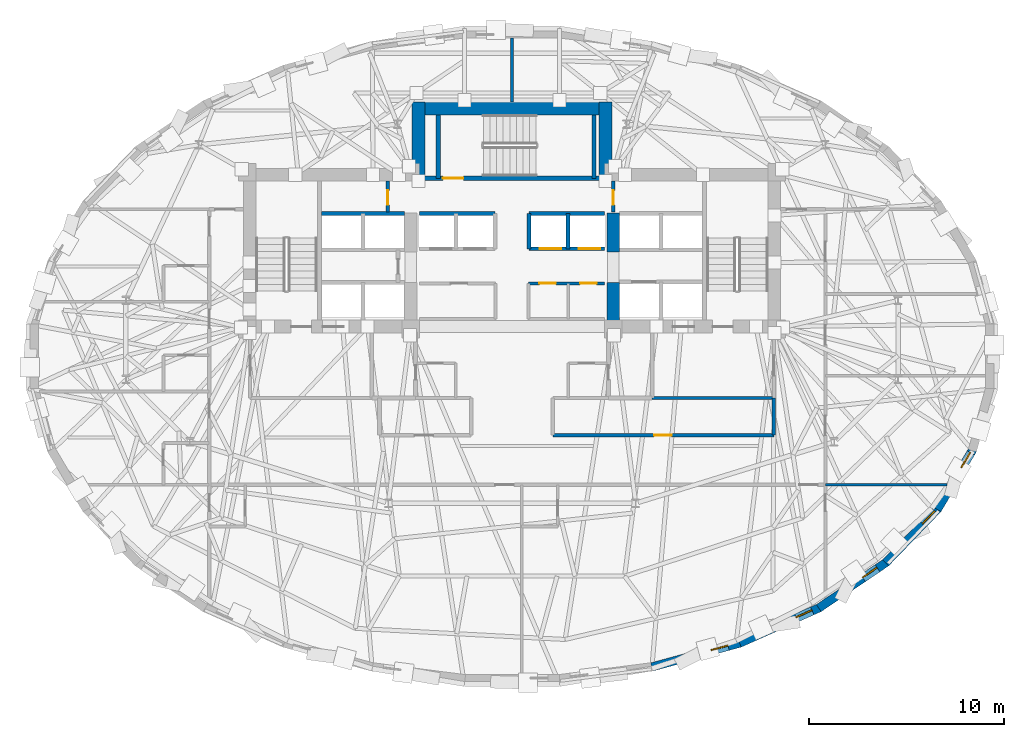
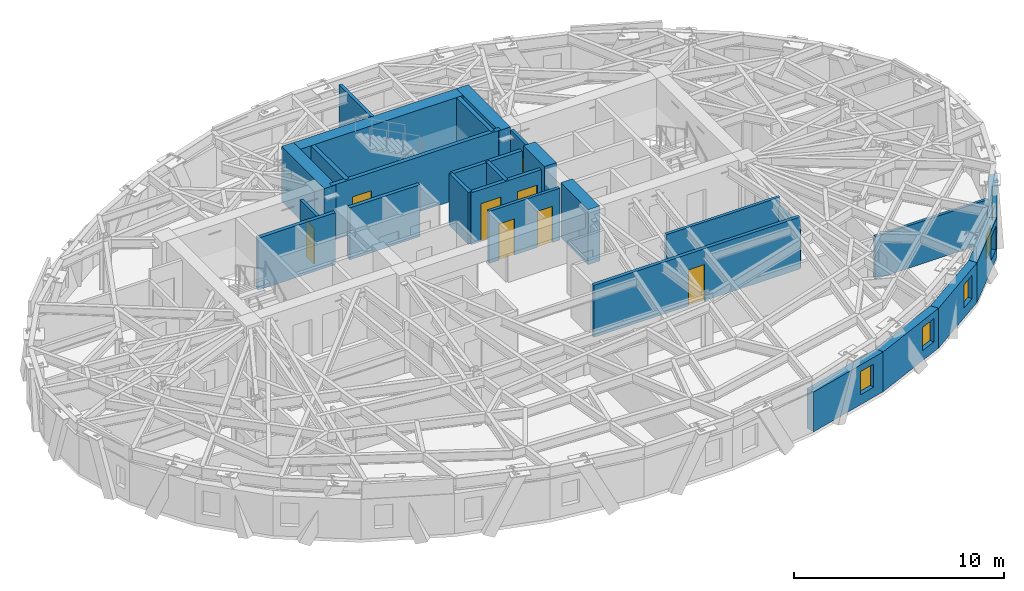
# One storey, part 8 of 14: 27 walls, 8 doors, 5 windows, 13 openings.
"""IFC4 building model written with IfcOpenShell, lengths in metres."""

from ifc_helpers import new_model, si_unit, direction, frame, frame_2d, origin, place, context, subcontext, project, spatial, rectangle, extrude, material, layer, layer_set, type_object, element, fill, save


model = new_model("IFC4")

# Units and contexts
model_context = context("Model", 3, precision=1e-05, world=origin(), true_north=direction((0.0, 1.0)))
body_context = subcontext(model_context, "Body", "Model", "MODEL_VIEW")
ifc_project = project(units=[si_unit("LENGTHUNIT", "METRE"), si_unit("AREAUNIT", "SQUARE_METRE"), si_unit("VOLUMEUNIT", "CUBIC_METRE"), si_unit("PLANEANGLEUNIT", "RADIAN"), si_unit("MASSUNIT", "GRAM", prefix="KILO")], contexts=[model_context])

# Site, building, storey
site_placement = place(None, origin())
site = spatial("IfcSite", under=ifc_project, at=site_placement, CompositionType="ELEMENT")
building_placement = place(site_placement, origin())
building = spatial("IfcBuilding", under=site, at=building_placement, Name="Keldmark Tower", CompositionType="ELEMENT")
storey_placement = place(building_placement, frame((0.0, 0.0, 169.39990234375)))
storey = spatial("IfcBuildingStorey", under=building, at=storey_placement, Name="L46", CompositionType="ELEMENT", Elevation=169.39990234375)

# Wall, opening, door
ifc_material_1 = material(Name="Heavy Acoustic Plumbing Chase Gypsum Assembly", Category="gypsum")
ifc_layer_1 = layer(ifc_material_1, 0.18994140625)
ifc_layer_set_1 = layer_set([ifc_layer_1], Name="Heavy Acoustic Plumbing Chase Gypsum Assembly")
wall_type_1 = type_object("IfcWallType", Name="Heavy Wet Wall 190 mm", PredefinedType="PLUMBINGWALL", material=ifc_layer_set_1)
wall_1_placement = place(storey_placement, frame((2.10009765625, -4.050048828125, 0.0), z_axis=(0.0, 0.0, 1.0), x_axis=(1.0, 0.0, 0.0)))
wall_1 = element("IfcWall", 1, at=wall_1_placement, inside=storey, type_object=wall_type_1, Name="L46 Heavy Wet Wall 190 mm SPK-E-S", PredefinedType="PLUMBINGWALL", context=body_context, shape_type="SweptSolid", body=[
    extrude(rectangle(XDim=11.349853515625, YDim=0.18994140625, at=frame_2d((5.6748046875, 0.0))), origin(), (0.0, 0.0, 1.0), 3.02001953125),
])
opening_1_placement = place(wall_1_placement, frame((5.199951171875, 0.0, 0.0)))
opening_1 = element("IfcOpeningElement", 2, at=opening_1_placement, cuts=wall_1, Name="Opening D-IN090", PredefinedType="OPENING", context=body_context, shape_type="SweptSolid", body=[
    extrude(rectangle(XDim=0.89990234375, YDim=2.10009765625, at=frame_2d((0.449951171875, 1.050048828125))), frame((0.0, 0.10498046875, 0.0), z_axis=(0.0, -1.0, 0.0), x_axis=(1.0, 0.0, 0.0)), (0.0, 0.0, 1.0), 0.2099609375),
])
ifc_material_2 = material(Name="Stained American White Oak Veneer", Category="wood")
door_type_1 = type_object("IfcDoorType", Name="Interior Door 900x2100", OperationType="NOTDEFINED", PredefinedType="DOOR", material=ifc_material_2)
door_1_placement = place(opening_1_placement, origin())
door_1 = element("IfcDoor", 3, at=door_1_placement, inside=storey, type_object=door_type_1, Name="L46 Interior Door 900x2100 D-SPKE1-L46", OperationType="SINGLE_SWING_RIGHT", OverallHeight=2.10009765625, OverallWidth=0.89990234375, PredefinedType="DOOR", context=body_context, shape_type="SweptSolid", body=[
    extrude(rectangle(XDim=0.89990234375, YDim=2.10009765625, at=frame_2d((0.449951171875, 1.050048828125))), frame((0.0, 0.02490234375, 0.0), z_axis=(0.0, -1.0, 0.0), x_axis=(1.0, 0.0, 0.0)), (0.0, 0.0, 1.0), 0.050048828125),
])
fill(opening_1, door_1)

# Walls
wall_2_placement = place(storey_placement, frame((13.449951171875, -4.050048828125, 0.0), z_axis=(0.0, 0.0, 1.0), x_axis=(0.0, 1.0, 0.0)))
element("IfcWall", 4, at=wall_2_placement, inside=storey, type_object=wall_type_1, Name="L46 Heavy Wet Wall 190 mm SPK-E-E", PredefinedType="PLUMBINGWALL", context=body_context, shape_type="SweptSolid", body=[
    extrude(rectangle(XDim=1.900146484375, YDim=0.18994140625, at=frame_2d((0.9501953125, 0.0))), origin(), (0.0, 0.0, 1.0), 2.47314453125),
])
ifc_material_3 = material(Name="Type X Fire-Rated Gypsum Partition Assembly", Category="gypsum")
ifc_layer_2 = layer(ifc_material_3, 0.1650390625)
ifc_layer_set_2 = layer_set([ifc_layer_2], Name="Type X Fire-Rated Gypsum Partition Assembly")
wall_type_2 = type_object("IfcWallType", Name="Rated Partition 165 mm", PredefinedType="PARTITIONING", material=ifc_layer_set_2)
wall_3_placement = place(storey_placement, frame((7.199951171875, -2.14990234375, 0.0), z_axis=(0.0, 0.0, 1.0), x_axis=(1.0, 0.0, 0.0)))
element("IfcWall", 5, at=wall_3_placement, inside=storey, type_object=wall_type_2, Name="L46 Rated Partition 165 mm FSAE-E-S", PredefinedType="PARTITIONING", context=body_context, shape_type="SweptSolid", body=[
    extrude(rectangle(XDim=6.25, YDim=0.1650390625, at=frame_2d((3.125, 0.0))), origin(), (0.0, 0.0, 1.0), 3.02001953125),
])

# Wall, openings, doors
wall_4_placement = place(storey_placement, frame((0.85009765625, 3.739990234375, 0.0), z_axis=(0.0, 0.0, 1.0), x_axis=(1.0, 0.0, 0.0)))
wall_4 = element("IfcWall", 6, at=wall_4_placement, inside=storey, type_object=wall_type_2, Name="L46 Rated Partition 165 mm REC-LE-N", PredefinedType="PARTITIONING", context=body_context, shape_type="SweptSolid", body=[
    extrude(rectangle(XDim=3.889892578125, YDim=0.1650390625, at=frame_2d((1.94482421875, 0.0))), origin(), (0.0, 0.0, 1.0), 3.02001953125),
])
opening_2_placement = place(wall_4_placement, frame((0.550048828125, 0.0, 0.0)))
opening_2 = element("IfcOpeningElement", 7, at=opening_2_placement, cuts=wall_4, Name="Opening D-SV085", PredefinedType="OPENING", context=body_context, shape_type="SweptSolid", body=[
    extrude(rectangle(XDim=0.85009765625, YDim=2.10009765625, at=frame_2d((0.425048828125, 1.050048828125))), frame((0.0, 0.092529296875, 0.0), z_axis=(0.0, -1.0, 0.0), x_axis=(1.0, 0.0, 0.0)), (0.0, 0.0, 1.0), 0.18505859375),
])
opening_3_placement = place(wall_4_placement, frame((2.64990234375, 0.0, 0.0)))
opening_3 = element("IfcOpeningElement", 8, at=opening_3_placement, cuts=wall_4, Name="Opening D-SV085", PredefinedType="OPENING", context=body_context, shape_type="SweptSolid", body=[
    extrude(rectangle(XDim=0.85009765625, YDim=2.10009765625, at=frame_2d((0.425048828125, 1.050048828125))), frame((0.0, 0.092529296875, 0.0), z_axis=(0.0, -1.0, 0.0), x_axis=(1.0, 0.0, 0.0)), (0.0, 0.0, 1.0), 0.18505859375),
])
ifc_material_4 = material(Name="Painted Hollow Metal Door Assembly", Category="metal")
door_type_2 = type_object("IfcDoorType", Name="Service Door 850x2100", OperationType="NOTDEFINED", PredefinedType="DOOR", material=ifc_material_4)
door_2_placement = place(opening_2_placement, origin())
door_2 = element("IfcDoor", 9, at=door_2_placement, inside=storey, type_object=door_type_2, Name="L46 Service Door 850x2100 D-RECLE1-L46", OperationType="SINGLE_SWING_LEFT", OverallHeight=2.10009765625, OverallWidth=0.85009765625, PredefinedType="DOOR", context=body_context, shape_type="SweptSolid", body=[
    extrude(rectangle(XDim=0.85009765625, YDim=2.10009765625, at=frame_2d((0.425048828125, 1.050048828125))), frame((0.0, 0.02490234375, 0.0), z_axis=(0.0, -1.0, 0.0), x_axis=(1.0, 0.0, 0.0)), (0.0, 0.0, 1.0), 0.050048828125),
])
fill(opening_2, door_2)
door_3_placement = place(opening_3_placement, origin())
door_3 = element("IfcDoor", 10, at=door_3_placement, inside=storey, type_object=door_type_2, Name="L46 Service Door 850x2100 D-RECLE2-L46", OperationType="SINGLE_SWING_RIGHT", OverallHeight=2.10009765625, OverallWidth=0.85009765625, PredefinedType="DOOR", context=body_context, shape_type="SweptSolid", body=[
    extrude(rectangle(XDim=0.85009765625, YDim=2.10009765625, at=frame_2d((0.425048828125, 1.050048828125))), frame((0.0, 0.02490234375, 0.0), z_axis=(0.0, -1.0, 0.0), x_axis=(1.0, 0.0, 0.0)), (0.0, 0.0, 1.0), 0.050048828125),
])
fill(opening_3, door_3)

# Wall, opening, door
wall_5_placement = place(storey_placement, frame((-6.3798828125, 7.419921875, 0.0), z_axis=(0.0, 0.0, 1.0), x_axis=(0.0, 1.0, 0.0)))
wall_5 = element("IfcWall", 11, at=wall_5_placement, inside=storey, type_object=wall_type_2, Name="L46 Rated Partition 165 mm CS-NW-E", PredefinedType="PARTITIONING", context=body_context, shape_type="SweptSolid", body=[
    extrude(rectangle(XDim=1.580078125, YDim=0.1650390625, at=frame_2d((0.7900390625, 0.0))), origin(), (0.0, 0.0, 1.0), 3.02001953125),
])
opening_4_placement = place(wall_5_placement, frame((0.35009765625, 0.0, 0.0)))
opening_4 = element("IfcOpeningElement", 12, at=opening_4_placement, cuts=wall_5, Name="Opening D-RS075", PredefinedType="OPENING", context=body_context, shape_type="SweptSolid", body=[
    extrude(rectangle(XDim=0.75, YDim=2.10009765625, at=frame_2d((0.375, 1.050048828125))), frame((0.0, 0.092529296875, 0.0), z_axis=(0.0, -1.0, 0.0), x_axis=(1.0, 0.0, 0.0)), (0.0, 0.0, 1.0), 0.18505859375),
])
ifc_material_5 = material(Name="Galvanized Fire-Rated Access Leaf", Category="metal")
door_type_3 = type_object("IfcDoorType", Name="Riser Access Door 750x2100", OperationType="NOTDEFINED", PredefinedType="DOOR", material=ifc_material_5)
door_4_placement = place(opening_4_placement, origin())
door_4 = element("IfcDoor", 13, at=door_4_placement, inside=storey, type_object=door_type_3, Name="L46 Riser Access Door 750x2100 D-CSNW1-L46", OperationType="SINGLE_SWING_RIGHT", OverallHeight=2.10009765625, OverallWidth=0.75, PredefinedType="DOOR", context=body_context, shape_type="SweptSolid", body=[
    extrude(rectangle(XDim=0.75, YDim=2.10009765625, at=frame_2d((0.375, 1.050048828125))), frame((0.0, 0.02490234375, 0.0), z_axis=(0.0, -1.0, 0.0), x_axis=(1.0, 0.0, 0.0)), (0.0, 0.0, 1.0), 0.050048828125),
])
fill(opening_4, door_4)

wall_6_placement = place(storey_placement, frame((5.199951171875, 7.419921875, 0.0), z_axis=(0.0, 0.0, 1.0), x_axis=(0.0, 1.0, 0.0)))
wall_6 = element("IfcWall", 14, at=wall_6_placement, inside=storey, type_object=wall_type_2, Name="L46 Rated Partition 165 mm CS-NE-W", PredefinedType="PARTITIONING", context=body_context, shape_type="SweptSolid", body=[
    extrude(rectangle(XDim=1.580078125, YDim=0.1650390625, at=frame_2d((0.7900390625, 0.0))), origin(), (0.0, 0.0, 1.0), 3.02001953125),
])
opening_5_placement = place(wall_6_placement, frame((0.35009765625, 0.0, 0.0)))
opening_5 = element("IfcOpeningElement", 15, at=opening_5_placement, cuts=wall_6, Name="Opening D-RS075", PredefinedType="OPENING", context=body_context, shape_type="SweptSolid", body=[
    extrude(rectangle(XDim=0.75, YDim=2.10009765625, at=frame_2d((0.375, 1.050048828125))), frame((0.0, 0.092529296875, 0.0), z_axis=(0.0, -1.0, 0.0), x_axis=(1.0, 0.0, 0.0)), (0.0, 0.0, 1.0), 0.18505859375),
])
door_5_placement = place(opening_5_placement, origin())
door_5 = element("IfcDoor", 16, at=door_5_placement, inside=storey, type_object=door_type_3, Name="L46 Riser Access Door 750x2100 D-CSNE1-L46", OperationType="SINGLE_SWING_LEFT", OverallHeight=2.10009765625, OverallWidth=0.75, PredefinedType="DOOR", context=body_context, shape_type="SweptSolid", body=[
    extrude(rectangle(XDim=0.75, YDim=2.10009765625, at=frame_2d((0.375, 1.050048828125))), frame((0.0, 0.02490234375, 0.0), z_axis=(0.0, -1.0, 0.0), x_axis=(1.0, 0.0, 0.0)), (0.0, 0.0, 1.0), 0.050048828125),
])
fill(opening_5, door_5)

# Walls
wall_7_placement = place(storey_placement, frame((0.0, 13.050048828125, 0.0), z_axis=(0.0, 0.0, 1.0), x_axis=(0.0, 1.0, 0.0)))
element("IfcWall", 17, at=wall_7_placement, inside=storey, type_object=wall_type_2, Name="L46 Rated Partition 165 mm HN-DIV", PredefinedType="PARTITIONING", context=body_context, shape_type="SweptSolid", body=[
    extrude(rectangle(XDim=3.2900390625, YDim=0.1650390625, at=frame_2d((1.64501953125, 0.0))), origin(), (0.0, 0.0, 1.0), 3.02001953125),
])
ifc_material_6 = material(Name="Fire-Resistant Type X Gypsum Shaftliner Coreboard", Category="gypsum")
ifc_layer_3 = layer(ifc_material_6, 0.199951171875)
ifc_layer_set_3 = layer_set([ifc_layer_3], Name="Fire-Resistant Type X Gypsum Shaftliner Coreboard")
wall_type_3 = type_object("IfcWallType", Name="Shaft Wall 200 mm", PredefinedType="SOLIDWALL", material=ifc_layer_set_3)
wall_8_placement = place(storey_placement, frame((-9.780029296875, 7.330078125, 0.0), z_axis=(0.0, 0.0, 1.0), x_axis=(1.0, 0.0, 0.0)))
element("IfcWall", 18, at=wall_8_placement, inside=storey, type_object=wall_type_3, Name="L46 Shaft Wall 200 mm HW-W-TOP", PredefinedType="SOLIDWALL", context=body_context, shape_type="SweptSolid", body=[
    extrude(rectangle(XDim=4.255126953125, YDim=0.199951171875, at=frame_2d((2.12744140625, 0.0))), origin(), (0.0, 0.0, 1.0), 3.02001953125),
])

# Wall, openings, doors
wall_9_placement = place(storey_placement, frame((0.8798828125, 5.52001953125, 0.0), z_axis=(0.0, 0.0, 1.0), x_axis=(1.0, 0.0, 0.0)))
wall_9 = element("IfcWall", 19, at=wall_9_placement, inside=storey, type_object=wall_type_3, Name="L46 Shaft Wall 200 mm MID-S-E", PredefinedType="SOLIDWALL", context=body_context, shape_type="SweptSolid", body=[
    extrude(rectangle(XDim=3.860107421875, YDim=0.199951171875, at=frame_2d((1.93017578125, 0.0))), origin(), (0.0, 0.0, 1.0), 3.02001953125),
])
opening_6_placement = place(wall_9_placement, frame((0.550048828125, 0.0, 0.0)))
opening_6 = element("IfcOpeningElement", 20, at=opening_6_placement, cuts=wall_9, Name="Opening LD-110", PredefinedType="OPENING", context=body_context, shape_type="SweptSolid", body=[
    extrude(rectangle(XDim=1.10009765625, YDim=2.199951171875, at=frame_2d((0.550048828125, 1.10009765625))), frame((0.0, 0.10986328125, 0.0), z_axis=(0.0, -1.0, 0.0), x_axis=(1.0, 0.0, 0.0)), (0.0, 0.0, 1.0), 0.219970703125),
])
opening_7_placement = place(wall_9_placement, frame((2.550048828125, 0.0, 0.0)))
opening_7 = element("IfcOpeningElement", 21, at=opening_7_placement, cuts=wall_9, Name="Opening LD-110", PredefinedType="OPENING", context=body_context, shape_type="SweptSolid", body=[
    extrude(rectangle(XDim=1.10009765625, YDim=2.199951171875, at=frame_2d((0.550048828125, 1.10009765625))), frame((0.0, 0.10986328125, 0.0), z_axis=(0.0, -1.0, 0.0), x_axis=(1.0, 0.0, 0.0)), (0.0, 0.0, 1.0), 0.219970703125),
])
ifc_material_7 = material(Name="Brushed Bronze Hoistway Sliding Leaf", Category="metal")
door_type_4 = type_object("IfcDoorType", Name="Lift Landing Sliding Door 1100x2200", OperationType="SLIDING_TO_LEFT", PredefinedType="DOOR", material=ifc_material_7)
door_6_placement = place(opening_6_placement, origin())
door_6 = element("IfcDoor", 22, at=door_6_placement, inside=storey, type_object=door_type_4, Name="L46 Lift Landing Sliding Door 1100x2200 LD-EL-M3-L46", OperationType="SLIDING_TO_LEFT", OverallHeight=2.199951171875, OverallWidth=1.10009765625, PredefinedType="DOOR", context=body_context, shape_type="SweptSolid", body=[
    extrude(rectangle(XDim=1.10009765625, YDim=2.199951171875, at=frame_2d((0.550048828125, 1.10009765625))), frame((0.0, 0.02490234375, 0.0), z_axis=(0.0, -1.0, 0.0), x_axis=(1.0, 0.0, 0.0)), (0.0, 0.0, 1.0), 0.050048828125),
])
fill(opening_6, door_6)
door_7_placement = place(opening_7_placement, origin())
door_7 = element("IfcDoor", 23, at=door_7_placement, inside=storey, type_object=door_type_4, Name="L46 Lift Landing Sliding Door 1100x2200 LD-EL-M4-L46", OperationType="SLIDING_TO_LEFT", OverallHeight=2.199951171875, OverallWidth=1.10009765625, PredefinedType="DOOR", context=body_context, shape_type="SweptSolid", body=[
    extrude(rectangle(XDim=1.10009765625, YDim=2.199951171875, at=frame_2d((0.550048828125, 1.10009765625))), frame((0.0, 0.02490234375, 0.0), z_axis=(0.0, -1.0, 0.0), x_axis=(1.0, 0.0, 0.0)), (0.0, 0.0, 1.0), 0.050048828125),
])
fill(opening_7, door_7)

# Walls
for number, where, z_axis, x_axis, name in (
    (24, (-4.739990234375, 7.330078125, 0.0), (0.0, 0.0, 1.0), (1.0, 0.0, 0.0), "L46 Shaft Wall 200 mm MID-N-W"),
    (25, (0.8798828125, 7.330078125, 0.0), (0.0, 0.0, 1.0), (1.0, 0.0, 0.0), "L46 Shaft Wall 200 mm MID-N-E"),
):
    element("IfcWall", number, at=place(storey_placement, frame(where, z_axis=z_axis, x_axis=x_axis)), inside=storey, type_object=wall_type_3, Name=name, PredefinedType="SOLIDWALL", context=body_context, shape_type="SweptSolid", body=[
        extrude(rectangle(XDim=3.860107421875, YDim=0.199951171875, at=frame_2d((1.93017578125, 0.0))), origin(), (0.0, 0.0, 1.0), 3.02001953125),
    ])
for number, where, z_axis, x_axis, name in (
    (26, (2.8798828125, 5.52001953125, 0.0), (0.0, 0.0, 1.0), (0.0, 1.0, 0.0), "L46 Shaft Wall 200 mm MID-M-E"),
    (27, (0.8798828125, 5.52001953125, 0.0), (0.0, 0.0, 1.0), (0.0, 1.0, 0.0), "L46 Shaft Wall 200 mm MID-C-E"),
):
    element("IfcWall", number, at=place(storey_placement, frame(where, z_axis=z_axis, x_axis=x_axis)), inside=storey, type_object=wall_type_3, Name=name, PredefinedType="SOLIDWALL", context=body_context, shape_type="SweptSolid", body=[
        extrude(rectangle(XDim=1.81005859375, YDim=0.199951171875, at=frame_2d((0.905029296875, 0.0))), origin(), (0.0, 0.0, 1.0), 3.02001953125),
    ])

# Wall, opening, door
ifc_material_8 = material(Name="Concrete C50/60", Category="concrete")
ifc_layer_4 = layer(ifc_material_8, 0.219970703125)
ifc_layer_set_4 = layer_set([ifc_layer_4], Name="Concrete C50/60")
wall_type_4 = type_object("IfcWallType", Name="Stair Core Shear Wall 220 mm", PredefinedType="SHEAR", material=ifc_layer_set_4)
wall_10_placement = place(storey_placement, frame((-4.699951171875, 9.139892578125, 0.0), z_axis=(0.0, 0.0, 1.0), x_axis=(1.0, 0.0, 0.0)))
wall_10 = element("IfcWall", 28, at=wall_10_placement, inside=storey, type_object=wall_type_4, Name="L46 Central Stair Core South Shear Wall", PredefinedType="SHEAR", context=body_context, shape_type="SweptSolid", body=[
    extrude(rectangle(XDim=9.300048828125, YDim=0.219970703125, at=frame_2d((4.64990234375, 0.0))), origin(), (0.0, 0.0, 1.0), 3.2001953125),
])
opening_8_placement = place(wall_10_placement, frame((1.14990234375, 0.0, 0.0)))
opening_8 = element("IfcOpeningElement", 29, at=opening_8_placement, cuts=wall_10, Name="Opening D-ST105", PredefinedType="OPENING", context=body_context, shape_type="SweptSolid", body=[
    extrude(rectangle(XDim=1.050048828125, YDim=2.14990234375, at=frame_2d((0.52490234375, 1.074951171875))), frame((0.0, 0.119873046875, 0.0), z_axis=(0.0, -1.0, 0.0), x_axis=(1.0, 0.0, 0.0)), (0.0, 0.0, 1.0), 0.239990234375),
])
ifc_material_9 = material(Name="Hollow Metal Fire-Rated Door Assembly", Category="metal")
door_type_5 = type_object("IfcDoorType", Name="Stair Fire Door 1050x2150", OperationType="NOTDEFINED", PredefinedType="DOOR", material=ifc_material_9)
door_8_placement = place(opening_8_placement, origin())
door_8 = element("IfcDoor", 30, at=door_8_placement, inside=storey, type_object=door_type_5, Name="L46 Stair Fire Door 1050x2150 D-ST3-L46", OperationType="SINGLE_SWING_RIGHT", OverallHeight=2.14990234375, OverallWidth=1.050048828125, PredefinedType="DOOR", context=body_context, shape_type="SweptSolid", body=[
    extrude(rectangle(XDim=1.050048828125, YDim=2.14990234375, at=frame_2d((0.52490234375, 1.074951171875))), frame((0.0, 0.02490234375, 0.0), z_axis=(0.0, -1.0, 0.0), x_axis=(1.0, 0.0, 0.0)), (0.0, 0.0, 1.0), 0.050048828125),
])
fill(opening_8, door_8)

# Walls
for number, where, z_axis, x_axis, name in (
    (31, (-3.784912109375, 9.139892578125, 0.0), (0.0, 0.0, 1.0), (0.0, 1.0, 0.0), "L46 Central Stair Core West Shear Wall"),
    (32, (4.215087890625, 9.139892578125, 0.0), (0.0, 0.0, 1.0), (0.0, 1.0, 0.0), "L46 Central Stair Core East Shear Wall"),
):
    element("IfcWall", number, at=place(storey_placement, frame(where, z_axis=z_axis, x_axis=x_axis)), inside=storey, type_object=wall_type_4, Name=name, PredefinedType="SHEAR", context=body_context, shape_type="SweptSolid", body=[
        extrude(rectangle(XDim=3.260009765625, YDim=0.219970703125, at=frame_2d((1.6298828125, 0.0))), origin(), (0.0, 0.0, 1.0), 3.2001953125),
    ])

# Wall, opening, window
ifc_material_10 = material(Name="Ironspot Manganese Brick and Kasota Buff Limestone Spandrel Assembly", Category="masonry")
ifc_layer_5 = layer(ifc_material_10, 0.43994140625)
ifc_layer_set_5 = layer_set([ifc_layer_5], Name="Ironspot Manganese Brick and Kasota Buff Limestone Spandrel Assembly")
wall_type_5 = type_object("IfcWallType", Name="Tower Brick Pier and Spandrel Wall 440 mm", PredefinedType="STANDARD", material=ifc_layer_set_5)
wall_11_placement = place(storey_placement, frame((11.72119140625, -14.725830078125, 0.0), z_axis=(0.0, 0.0, 1.0), x_axis=(-0.965037424263, -0.262112132058, 0.0)))
wall_11 = element("IfcWall", 33, at=wall_11_placement, inside=storey, type_object=wall_type_5, Name="L46 Exterior Brick and Spandrel Wall 26", PredefinedType="STANDARD", context=body_context, shape_type="SweptSolid", body=[
    extrude(rectangle(XDim=4.70654296875, YDim=0.43994140625, at=frame_2d((2.353271484375, 0.0))), origin(), (0.0, 0.0, 1.0), 2.315185546875),
])
opening_9_placement = place(wall_11_placement, frame((0.644287109375, 0.0, 0.580078125)))
opening_9 = element("IfcOpeningElement", 34, at=opening_9_placement, cuts=wall_11, Name="Opening W-09", PredefinedType="OPENING", context=body_context, shape_type="SweptSolid", body=[
    extrude(rectangle(XDim=0.89990234375, YDim=1.35009765625, at=frame_2d((0.449951171875, 0.675048828125))), frame((0.0, 0.22998046875, 0.0), z_axis=(0.0, -1.0, 0.0), x_axis=(1.0, 0.0, 0.0)), (0.0, 0.0, 1.0), 0.4599609375),
])
ifc_material_11 = material(Name="Thermally Broken Anodized Aluminum and Triple Low-E Argon Glazing", Category="aluminium")
window_type = type_object("IfcWindowType", Name="Corner Pier Deep-Set Window 900x1350", PartitioningType="SINGLE_PANEL", PredefinedType="WINDOW", material=ifc_material_11)
window_1_placement = place(opening_9_placement, origin())
window_1 = element("IfcWindow", 35, at=window_1_placement, inside=storey, type_object=window_type, Name="L46 Deep-Set Window 26", OverallHeight=1.35009765625, OverallWidth=0.89990234375, PartitioningType="SINGLE_PANEL", PredefinedType="WINDOW", context=body_context, shape_type="SweptSolid", body=[
    extrude(rectangle(XDim=0.89990234375, YDim=1.35009765625, at=frame_2d((0.449951171875, 0.675048828125))), frame((0.0, -0.010009765625, 0.0), z_axis=(0.0, -1.0, 0.0), x_axis=(1.0, 0.0, 0.0)), (0.0, 0.0, 1.0), 0.06005859375),
])
fill(opening_9, window_1)

wall_12_placement = place(storey_placement, frame((15.790771484375, -12.91552734375, 0.0), z_axis=(0.0, 0.0, 1.0), x_axis=(-0.913907994914, -0.405921392431, 0.0)))
wall_12 = element("IfcWall", 36, at=wall_12_placement, inside=storey, type_object=wall_type_5, Name="L46 Exterior Brick and Spandrel Wall 27", PredefinedType="STANDARD", context=body_context, shape_type="SweptSolid", body=[
    extrude(rectangle(XDim=4.4873046875, YDim=0.43994140625, at=frame_2d((2.24365234375, 0.0))), origin(), (0.0, 0.0, 1.0), 2.315185546875),
])
opening_10_placement = place(wall_12_placement, frame((0.399169921875, 0.0, 0.580078125)))
opening_10 = element("IfcOpeningElement", 37, at=opening_10_placement, cuts=wall_12, Name="Opening W-09", PredefinedType="OPENING", context=body_context, shape_type="SweptSolid", body=[
    extrude(rectangle(XDim=0.89990234375, YDim=1.35009765625, at=frame_2d((0.449951171875, 0.675048828125))), frame((0.0, 0.22998046875, 0.0), z_axis=(0.0, -1.0, 0.0), x_axis=(1.0, 0.0, 0.0)), (0.0, 0.0, 1.0), 0.4599609375),
])
window_2_placement = place(opening_10_placement, origin())
window_2 = element("IfcWindow", 38, at=window_2_placement, inside=storey, type_object=window_type, Name="L46 Deep-Set Window 27", OverallHeight=1.35009765625, OverallWidth=0.89990234375, PartitioningType="SINGLE_PANEL", PredefinedType="WINDOW", context=body_context, shape_type="SweptSolid", body=[
    extrude(rectangle(XDim=0.89990234375, YDim=1.35009765625, at=frame_2d((0.449951171875, 0.675048828125))), frame((0.0, -0.010009765625, 0.0), z_axis=(0.0, -1.0, 0.0), x_axis=(1.0, 0.0, 0.0)), (0.0, 0.0, 1.0), 0.06005859375),
])
fill(opening_10, window_2)

wall_13_placement = place(storey_placement, frame((19.2265625, -10.58251953125, 0.0), z_axis=(0.0, 0.0, 1.0), x_axis=(-0.827760762475, -0.561081206338, 0.0)))
wall_13 = element("IfcWall", 39, at=wall_13_placement, inside=storey, type_object=wall_type_5, Name="L46 Exterior Brick and Spandrel Wall 28", PredefinedType="STANDARD", context=body_context, shape_type="SweptSolid", body=[
    extrude(rectangle(XDim=4.19189453125, YDim=0.43994140625, at=frame_2d((2.095947265625, 0.0))), origin(), (0.0, 0.0, 1.0), 2.319091796875),
])
opening_11_placement = place(wall_13_placement, frame((0.549072265625, 0.0, 0.580078125)))
opening_11 = element("IfcOpeningElement", 40, at=opening_11_placement, cuts=wall_13, Name="Opening W-09", PredefinedType="OPENING", context=body_context, shape_type="SweptSolid", body=[
    extrude(rectangle(XDim=0.89990234375, YDim=1.35009765625, at=frame_2d((0.449951171875, 0.675048828125))), frame((0.0, 0.22998046875, 0.0), z_axis=(0.0, -1.0, 0.0), x_axis=(1.0, 0.0, 0.0)), (0.0, 0.0, 1.0), 0.4599609375),
])
window_3_placement = place(opening_11_placement, origin())
window_3 = element("IfcWindow", 41, at=window_3_placement, inside=storey, type_object=window_type, Name="L46 Deep-Set Window 28", OverallHeight=1.35009765625, OverallWidth=0.89990234375, PartitioningType="SINGLE_PANEL", PredefinedType="WINDOW", context=body_context, shape_type="SweptSolid", body=[
    extrude(rectangle(XDim=0.89990234375, YDim=1.35009765625, at=frame_2d((0.449951171875, 0.675048828125))), frame((0.0, -0.010009765625, 0.0), z_axis=(0.0, -1.0, 0.0), x_axis=(1.0, 0.0, 0.0)), (0.0, 0.0, 1.0), 0.06005859375),
])
fill(opening_11, window_3)

wall_14_placement = place(storey_placement, frame((21.878662109375, -7.831787109375, 0.0), z_axis=(0.0, 0.0, 1.0), x_axis=(-0.694975307772, -0.719033602544, 0.0)))
wall_14 = element("IfcWall", 42, at=wall_14_placement, inside=storey, type_object=wall_type_5, Name="L46 Exterior Brick and Spandrel Wall 29", PredefinedType="STANDARD", context=body_context, shape_type="SweptSolid", body=[
    extrude(rectangle(XDim=3.866455078125, YDim=0.43994140625, at=frame_2d((1.93310546875, 0.0))), origin(), (0.0, 0.0, 1.0), 2.315185546875),
])
opening_12_placement = place(wall_14_placement, frame((0.199951171875, 0.0, 0.580078125)))
opening_12 = element("IfcOpeningElement", 43, at=opening_12_placement, cuts=wall_14, Name="Opening W-09", PredefinedType="OPENING", context=body_context, shape_type="SweptSolid", body=[
    extrude(rectangle(XDim=0.89990234375, YDim=1.35009765625, at=frame_2d((0.449951171875, 0.675048828125))), frame((0.0, 0.22998046875, 0.0), z_axis=(0.0, -1.0, 0.0), x_axis=(1.0, 0.0, 0.0)), (0.0, 0.0, 1.0), 0.4599609375),
])
window_4_placement = place(opening_12_placement, origin())
window_4 = element("IfcWindow", 44, at=window_4_placement, inside=storey, type_object=window_type, Name="L46 Deep-Set Window 29", OverallHeight=1.35009765625, OverallWidth=0.89990234375, PartitioningType="SINGLE_PANEL", PredefinedType="WINDOW", context=body_context, shape_type="SweptSolid", body=[
    extrude(rectangle(XDim=0.89990234375, YDim=1.35009765625, at=frame_2d((0.449951171875, 0.675048828125))), frame((0.0, -0.010009765625, 0.0), z_axis=(0.0, -1.0, 0.0), x_axis=(1.0, 0.0, 0.0)), (0.0, 0.0, 1.0), 0.06005859375),
])
fill(opening_12, window_4)

wall_15_placement = place(storey_placement, frame((23.66748046875, -4.793701171875, 0.0), z_axis=(0.0, 0.0, 1.0), x_axis=(-0.508883387051, -0.860835465338, 0.0)))
wall_15 = element("IfcWall", 45, at=wall_15_placement, inside=storey, type_object=wall_type_5, Name="L46 Exterior Brick and Spandrel Wall 30", PredefinedType="STANDARD", context=body_context, shape_type="SweptSolid", body=[
    extrude(rectangle(XDim=3.57666015625, YDim=0.43994140625, at=frame_2d((1.788330078125, 0.0))), origin(), (0.0, 0.0, 1.0), 2.315185546875),
])
opening_13_placement = place(wall_15_placement, frame((0.199951171875, 0.0, 0.419921875)))
opening_13 = element("IfcOpeningElement", 46, at=opening_13_placement, cuts=wall_15, Name="Opening W-09", PredefinedType="OPENING", context=body_context, shape_type="SweptSolid", body=[
    extrude(rectangle(XDim=0.89990234375, YDim=1.35009765625, at=frame_2d((0.449951171875, 0.675048828125))), frame((0.0, 0.22998046875, 0.0), z_axis=(0.0, -1.0, 0.0), x_axis=(1.0, 0.0, 0.0)), (0.0, 0.0, 1.0), 0.4599609375),
])
window_5_placement = place(opening_13_placement, origin())
window_5 = element("IfcWindow", 47, at=window_5_placement, inside=storey, type_object=window_type, Name="L46 Deep-Set Window 30", OverallHeight=1.35009765625, OverallWidth=0.89990234375, PartitioningType="SINGLE_PANEL", PredefinedType="WINDOW", context=body_context, shape_type="SweptSolid", body=[
    extrude(rectangle(XDim=0.89990234375, YDim=1.35009765625, at=frame_2d((0.449951171875, 0.675048828125))), frame((0.0, -0.010009765625, 0.0), z_axis=(0.0, -1.0, 0.0), x_axis=(1.0, 0.0, 0.0)), (0.0, 0.0, 1.0), 0.06005859375),
])
fill(opening_13, window_5)

# Walls
ifc_material_12 = material(Name="Concrete C50/60", Category="concrete")
ifc_layer_6 = layer(ifc_material_12, 0.64990234375)
ifc_layer_set_6 = layer_set([ifc_layer_6], Name="Concrete C50/60")
wall_type_6 = type_object("IfcWallType", Name="Upper-Mid Core Shear Wall 650 mm", PredefinedType="SHEAR", material=ifc_layer_set_6)
wall_16_placement = place(storey_placement, frame((5.199951171875, 1.199951171875, 0.0), z_axis=(0.0, 0.0, 1.0), x_axis=(0.0, 1.0, 0.0)))
element("IfcWall", 48, at=wall_16_placement, inside=storey, type_object=wall_type_6, Name="L46 East Core Inner Shear Pier South", PredefinedType="SHEAR", context=body_context, shape_type="SweptSolid", body=[
    extrude(rectangle(XDim=2.60009765625, YDim=0.64990234375, at=frame_2d((1.300048828125, 0.0))), origin(), (0.0, 0.0, 1.0), 3.2001953125),
])
wall_17_placement = place(storey_placement, frame((5.199951171875, 5.35009765625, 0.0), z_axis=(0.0, 0.0, 1.0), x_axis=(0.0, 1.0, 0.0)))
element("IfcWall", 49, at=wall_17_placement, inside=storey, type_object=wall_type_6, Name="L46 East Core Inner Shear Pier North", PredefinedType="SHEAR", context=body_context, shape_type="SweptSolid", body=[
    extrude(rectangle(XDim=2.0, YDim=0.64990234375, at=frame_2d((1.0, 0.0))), origin(), (0.0, 0.0, 1.0), 3.2001953125),
])
wall_18_placement = place(storey_placement, frame((-5.125, 12.72509765625, 0.0), z_axis=(0.0, 0.0, 1.0), x_axis=(1.0, 0.0, 0.0)))
element("IfcWall", 50, at=wall_18_placement, inside=storey, type_object=wall_type_6, Name="L46 North Core Shear Wall", PredefinedType="SHEAR", context=body_context, shape_type="SweptSolid", body=[
    extrude(rectangle(XDim=10.25, YDim=0.64990234375, at=frame_2d((5.125, 0.0))), origin(), (0.0, 0.0, 1.0), 3.2001953125),
])
for number, where, z_axis, x_axis, name in (
    (51, (-4.800048828125, 9.0, 0.0), (0.0, 0.0, 1.0), (0.0, 1.0, 0.0), "L46 North Core West Shear Wall"),
    (52, (4.800048828125, 9.0, 0.0), (0.0, 0.0, 1.0), (0.0, 1.0, 0.0), "L46 North Core East Shear Wall"),
):
    element("IfcWall", number, at=place(storey_placement, frame(where, z_axis=z_axis, x_axis=x_axis)), inside=storey, type_object=wall_type_6, Name=name, PredefinedType="SHEAR", context=body_context, shape_type="SweptSolid", body=[
        extrude(rectangle(XDim=4.050048828125, YDim=0.64990234375, at=frame_2d((2.02490234375, 0.0))), origin(), (0.0, 0.0, 1.0), 3.2001953125),
    ])
ifc_material_13 = material(Name="Moisture-Resistant Gypsum Plumbing Partition", Category="gypsum")
ifc_layer_7 = layer(ifc_material_13, 0.14990234375)
ifc_layer_set_7 = layer_set([ifc_layer_7], Name="Moisture-Resistant Gypsum Plumbing Partition")
wall_type_7 = type_object("IfcWallType", Name="Wet Wall 150 mm", PredefinedType="PLUMBINGWALL", material=ifc_layer_set_7)
wall_19_placement = place(storey_placement, frame((16.10009765625, -6.60009765625, 0.0), z_axis=(0.0, 0.0, 1.0), x_axis=(1.0, 0.0, 0.0)))
element("IfcWall", 53, at=wall_19_placement, inside=storey, type_object=wall_type_7, Name="L46 Wet Wall 150 mm HE-CAP-S", PredefinedType="PLUMBINGWALL", context=body_context, shape_type="SweptSolid", body=[
    extrude(rectangle(XDim=6.234619140625, YDim=0.14990234375, at=frame_2d((3.1171875, 0.0))), origin(), (0.0, 0.0, 1.0), 2.47314453125),
])

save(model, "model.ifc")
